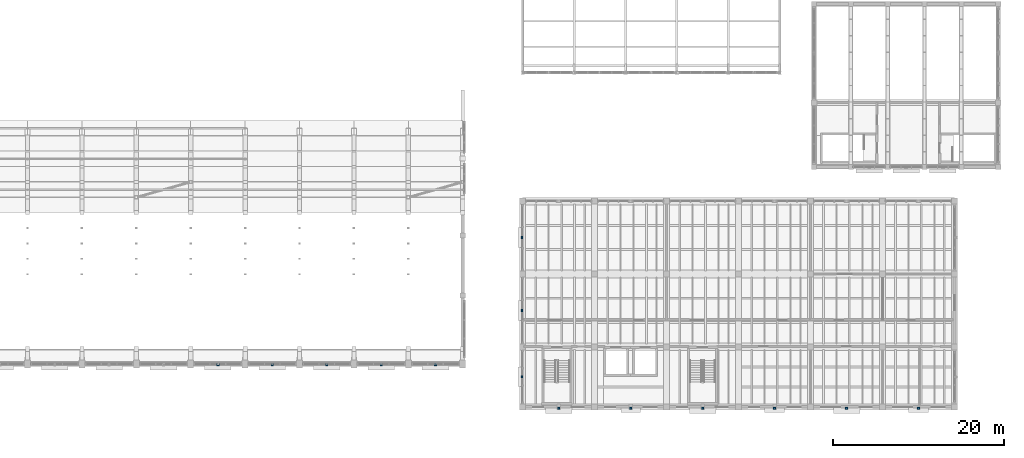
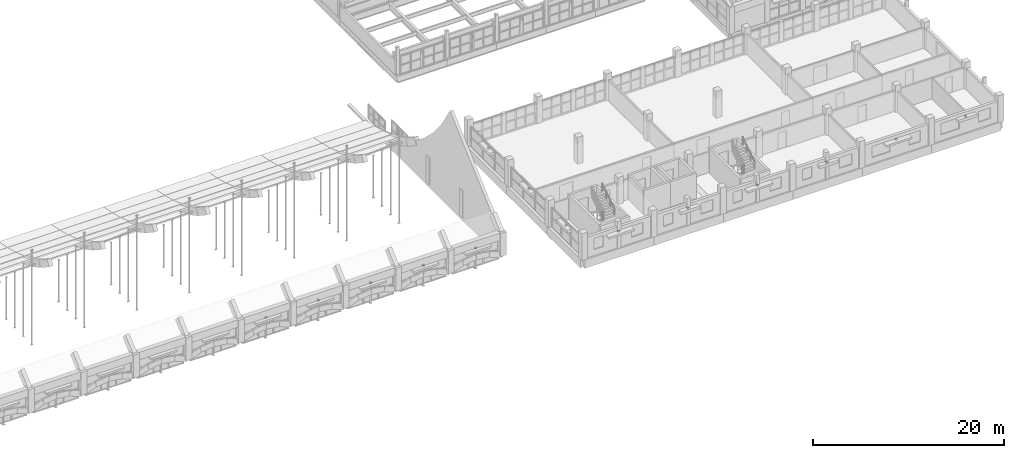
# One storey, part 70 of 77: 14 discrete accessories.
"""IFC4 building model written with IfcOpenShell, lengths in metres."""

from ifc_helpers import new_model, si_unit, direction, frame, origin, origin_2d, place, context, subcontext, project, spatial, rectangle, extrude, material, type_object, element, save


model = new_model("IFC4")

# Units and contexts
model_context = context("Model", 3, precision=1e-05, world=origin(), true_north=direction((0.0, 1.0)))
body_context = subcontext(model_context, "Body", "Model", "MODEL_VIEW")
ifc_project = project(units=[si_unit("LENGTHUNIT", "METRE"), si_unit("AREAUNIT", "SQUARE_METRE"), si_unit("VOLUMEUNIT", "CUBIC_METRE"), si_unit("PLANEANGLEUNIT", "RADIAN"), si_unit("MASSUNIT", "GRAM", prefix="KILO")], contexts=[model_context])

# Site, building, storey
site_placement = place(None, origin())
site = spatial("IfcSite", under=ifc_project, at=site_placement, CompositionType="ELEMENT")
building_placement = place(site_placement, origin())
building = spatial("IfcBuilding", under=site, at=building_placement, Name="Trellovar Central Fire Station", CompositionType="ELEMENT")
storey_placement = place(building_placement, frame((0.0, 0.0, 5.85009765625)))
storey = spatial("IfcBuildingStorey", under=building, at=storey_placement, Name="L02", CompositionType="ELEMENT", Elevation=5.85009765625)

# Discrete accessories
ifc_material = material(Name="Patina bronze wrought metalwork", Category="metal")
discrete_accessory_type = type_object("IfcDiscreteAccessoryType", Name="ACC-BRK1", PredefinedType="BRACKET", material=ifc_material)
for number, where, z_axis, x_axis, name in (
    (1, (69.925048828125, 13.919921875, 1.7998046875), (0.0, 0.0, 1.0), (1.0, 0.0, 0.0), "L02 bronze shade mounting bracket 6"),
    (2, (76.27490234375, 13.919921875, 1.7998046875), (0.0, 0.0, 1.0), (1.0, 0.0, 0.0), "L02 bronze shade mounting bracket 7"),
    (3, (82.625, 13.919921875, 1.7998046875), (0.0, 0.0, 1.0), (1.0, 0.0, 0.0), "L02 bronze shade mounting bracket 9"),
    (4, (88.97509765625, 13.919921875, 1.7998046875), (0.0, 0.0, 1.0), (1.0, 0.0, 0.0), "L02 bronze shade mounting bracket 11"),
    (5, (95.324951171875, 13.919921875, 1.7998046875), (0.0, 0.0, 1.0), (1.0, 0.0, 0.0), "L02 bronze shade mounting bracket 13"),
    (6, (109.699951171875, 8.840087890625, 2.0), (0.0, 0.0, 1.0), (1.0, 0.0, 0.0), "L02 bronze shade mounting bracket 67"),
    (7, (118.10009765625, 8.840087890625, 2.0), (0.0, 0.0, 1.0), (1.0, 0.0, 0.0), "L02 bronze shade mounting bracket 68"),
    (8, (126.5, 8.840087890625, 2.0), (0.0, 0.0, 1.0), (1.0, 0.0, 0.0), "L02 bronze shade mounting bracket 69"),
    (9, (134.89990234375, 8.840087890625, 2.0), (0.0, 0.0, 1.0), (1.0, 0.0, 0.0), "L02 bronze shade mounting bracket 70"),
    (10, (143.300048828125, 8.840087890625, 2.0), (0.0, 0.0, 1.0), (1.0, 0.0, 0.0), "L02 bronze shade mounting bracket 71"),
    (11, (151.699951171875, 8.840087890625, 2.0), (0.0, 0.0, 1.0), (1.0, 0.0, 0.0), "L02 bronze shade mounting bracket 72"),
    (12, (105.419921875, 12.5, 2.0498046875), (0.0, 0.0, 1.0), (0.0, 1.0, 0.0), "L02 bronze shade mounting bracket 73"),
    (13, (105.419921875, 20.25, 2.0498046875), (0.0, 0.0, 1.0), (0.0, 1.0, 0.0), "L02 bronze shade mounting bracket 74"),
    (14, (105.419921875, 28.75, 2.0498046875), (0.0, 0.0, 1.0), (0.0, 1.0, 0.0), "L02 bronze shade mounting bracket 75"),
):
    element("IfcDiscreteAccessory", number, at=place(storey_placement, frame(where, z_axis=z_axis, x_axis=x_axis)), inside=storey, type_object=discrete_accessory_type, Name=name, PredefinedType="BRACKET", context=body_context, shape_type="SweptSolid", body=[
        extrude(rectangle(XDim=0.260009765625, YDim=0.219970703125, at=origin_2d()), origin(), (0.0, 0.0, 1.0), 0.199951171875),
    ])

save(model, "model.ifc")
